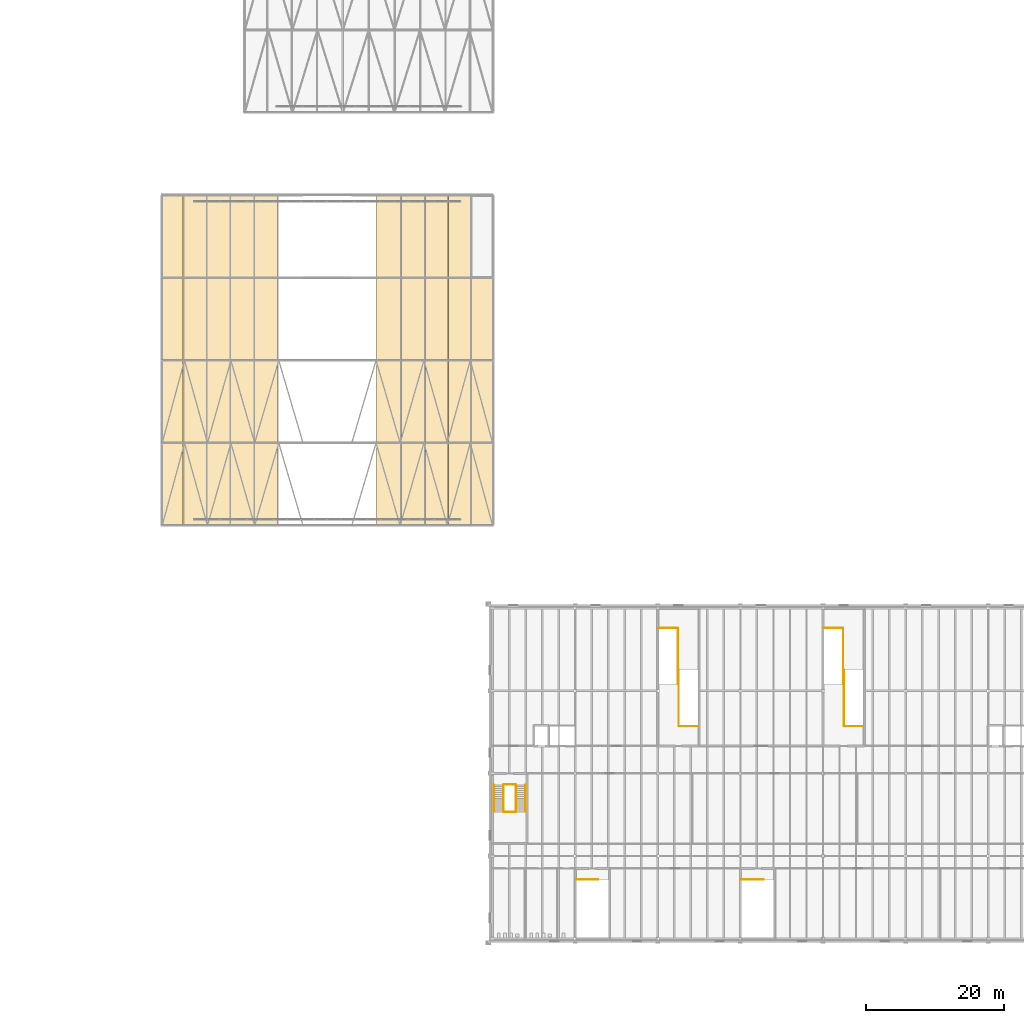
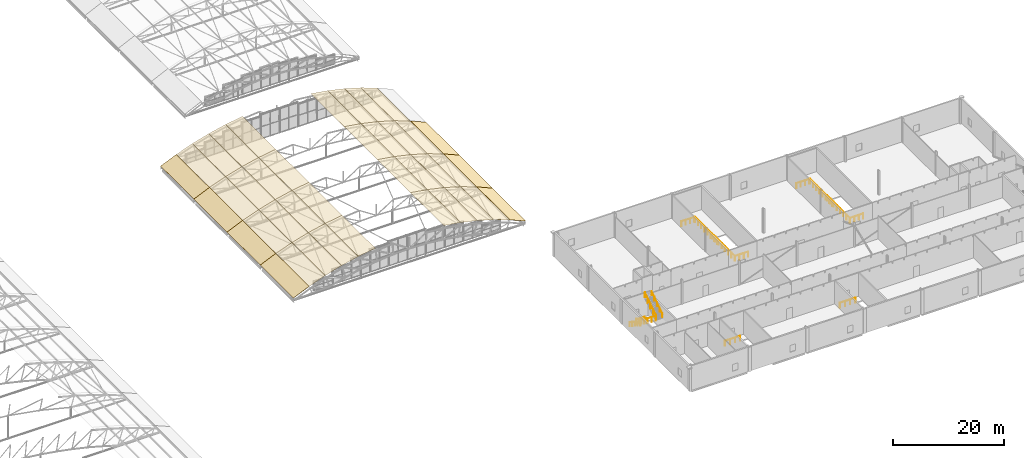
# One storey, part 317 of 321: 39 coverings, 16 railings.
"""IFC4 building model written with IfcOpenShell, lengths in metres."""

from ifc_helpers import new_model, si_unit, direction, frame, origin, origin_2d, place, context, subcontext, project, spatial, polyline, circle, outline, extrude, material, layer, layer_set, type_object, element, save


model = new_model("IFC4")

# Units and contexts
model_context = context("Model", 3, precision=1e-05, world=origin(), true_north=direction((0.0, 1.0)))
body_context = subcontext(model_context, "Body", "Model", "MODEL_VIEW")
ifc_project = project(units=[si_unit("LENGTHUNIT", "METRE"), si_unit("AREAUNIT", "SQUARE_METRE"), si_unit("VOLUMEUNIT", "CUBIC_METRE"), si_unit("PLANEANGLEUNIT", "RADIAN"), si_unit("MASSUNIT", "GRAM", prefix="KILO")], contexts=[model_context])

# Site, building, storey
site_placement = place(None, origin())
site = spatial("IfcSite", under=ifc_project, at=site_placement, CompositionType="ELEMENT")
building_placement = place(site_placement, origin())
building = spatial("IfcBuilding", under=site, at=building_placement, Name="Ravi Spectrum Wholesale Market", CompositionType="ELEMENT")
storey_placement = place(building_placement, frame((0.0, 0.0, 10.800048828125)))
storey = spatial("IfcBuildingStorey", under=building, at=storey_placement, Name="L02", CompositionType="ELEMENT", Elevation=10.800048828125)

# Railings
ifc_material_1 = material(Name="Steel S355", Category="steel")
railing_type_1 = type_object("IfcRailingType", Name="Guard 1100", PredefinedType="GUARDRAIL", material=ifc_material_1)
railing_1_placement = place(storey_placement, frame((199.60009765625, 40.35009765625, 0.179931640625)))
element("IfcRailing", 1, at=railing_1_placement, inside=storey, type_object=railing_type_1, Name="L02 S-CS-1 stair guard 1", PredefinedType="GUARDRAIL", context=body_context, shape_type="SweptSolid", body=[
    extrude(circle(Radius=0.02392578125, at=origin_2d()), frame((0.0, 0.0, 1.076171875), z_axis=(0.0, -0.841186985886, 0.540744352514), x_axis=(1.0, 0.0, 0.0)), (0.0, 0.0, 1.0), 4.660400390625),
    extrude(circle(Radius=0.02099609375, at=origin_2d()), origin(), (0.0, 0.0, 1.0), 1.052001953125),
    extrude(circle(Radius=0.02099609375, at=origin_2d()), frame((0.0, -0.97998046875, 0.6298828125)), (0.0, 0.0, 1.0), 1.052001953125),
    extrude(circle(Radius=0.02099609375, at=origin_2d()), frame((0.0, -1.9599609375, 1.260009765625)), (0.0, 0.0, 1.0), 1.052001953125),
    extrude(circle(Radius=0.02099609375, at=origin_2d()), frame((0.0, -2.940185546875, 1.89013671875)), (0.0, 0.0, 1.0), 1.052001953125),
    extrude(circle(Radius=0.02099609375, at=origin_2d()), frame((0.0, -3.920166015625, 2.52001953125)), (0.0, 0.0, 1.0), 1.052001953125),
])
railing_2_placement = place(storey_placement, frame((199.64990234375, 36.3798828125, 2.699951171875)))
element("IfcRailing", 2, at=railing_2_placement, inside=storey, type_object=railing_type_1, Name="L02 S-CS-1 stair guard 2", PredefinedType="GUARDRAIL", context=body_context, shape_type="SweptSolid", body=[
    extrude(circle(Radius=0.02392578125, at=origin_2d()), frame((0.0, 0.0, 1.076171875), z_axis=(1.0, 0.0, 0.0), x_axis=(0.0, 1.0, 0.0)), (0.0, 0.0, 1.0), 1.7001953125),
    extrude(circle(Radius=0.02099609375, at=origin_2d()), origin(), (0.0, 0.0, 1.0), 1.052001953125),
    extrude(circle(Radius=0.02099609375, at=origin_2d()), frame((0.85009765625, 0.0, 0.0)), (0.0, 0.0, 1.0), 1.052001953125),
    extrude(circle(Radius=0.02099609375, at=origin_2d()), frame((1.7001953125, 0.0, 0.0)), (0.0, 0.0, 1.0), 1.052001953125),
])
railing_3_placement = place(storey_placement, frame((201.39990234375, 36.429931640625, 2.8798828125)))
element("IfcRailing", 3, at=railing_3_placement, inside=storey, type_object=railing_type_1, Name="L02 S-CS-1 stair guard 3", PredefinedType="GUARDRAIL", context=body_context, shape_type="SweptSolid", body=[
    extrude(circle(Radius=0.02392578125, at=origin_2d()), frame((0.0, 0.0, 1.076171875), z_axis=(0.0, 0.841186985886, 0.540744352514), x_axis=(-1.0, 0.0, 0.0)), (0.0, 0.0, 1.0), 4.660400390625),
    extrude(circle(Radius=0.02099609375, at=origin_2d()), origin(), (0.0, 0.0, 1.0), 1.052001953125),
    extrude(circle(Radius=0.02099609375, at=origin_2d()), frame((0.0, 0.97998046875, 0.6298828125)), (0.0, 0.0, 1.0), 1.052001953125),
    extrude(circle(Radius=0.02099609375, at=origin_2d()), frame((0.0, 1.9599609375, 1.260009765625)), (0.0, 0.0, 1.0), 1.052001953125),
    extrude(circle(Radius=0.02099609375, at=origin_2d()), frame((0.0, 2.940185546875, 1.89013671875)), (0.0, 0.0, 1.0), 1.052001953125),
    extrude(circle(Radius=0.02099609375, at=origin_2d()), frame((0.0, 3.920166015625, 2.52001953125)), (0.0, 0.0, 1.0), 1.052001953125),
])
railing_4_placement = place(storey_placement, frame((199.64990234375, 40.39990234375, 0.0)))
element("IfcRailing", 4, at=railing_4_placement, inside=storey, type_object=railing_type_1, Name="L02 S-CS-1 stair guard 4", PredefinedType="GUARDRAIL", context=body_context, shape_type="SweptSolid", body=[
    extrude(circle(Radius=0.02392578125, at=origin_2d()), frame((0.0, 0.0, 1.076171875), z_axis=(1.0, 0.0, 0.0), x_axis=(0.0, 1.0, 0.0)), (0.0, 0.0, 1.0), 1.7001953125),
    extrude(circle(Radius=0.02099609375, at=origin_2d()), origin(), (0.0, 0.0, 1.0), 1.052001953125),
    extrude(circle(Radius=0.02099609375, at=origin_2d()), frame((0.85009765625, 0.0, 0.0)), (0.0, 0.0, 1.0), 1.052001953125),
    extrude(circle(Radius=0.02099609375, at=origin_2d()), frame((1.7001953125, 0.0, 0.0)), (0.0, 0.0, 1.0), 1.052001953125),
])
for number, where, name in (
    (5, (227.85009765625, 48.85009765625, 0.0), "L02 S-CS-3 top well guard 1"),
    (6, (224.89990234375, 63.14990234375, 0.0), "L02 S-CS-3 top well guard 2"),
):
    element("IfcRailing", number, at=place(storey_placement, frame(where)), inside=storey, type_object=railing_type_1, Name=name, PredefinedType="GUARDRAIL", context=body_context, shape_type="SweptSolid", body=[
        extrude(circle(Radius=0.02392578125, at=origin_2d()), frame((0.0, 0.0, 1.076171875), z_axis=(-1.0, 0.0, 0.0), x_axis=(0.0, -1.0, 0.0)), (0.0, 0.0, 1.0), 2.75),
        extrude(circle(Radius=0.02099609375, at=origin_2d()), origin(), (0.0, 0.0, 1.0), 1.052001953125),
        extrude(circle(Radius=0.02099609375, at=origin_2d()), frame((-0.916748046875, 0.0, 0.0)), (0.0, 0.0, 1.0), 1.052001953125),
        extrude(circle(Radius=0.02099609375, at=origin_2d()), frame((-1.833251953125, 0.0, 0.0)), (0.0, 0.0, 1.0), 1.052001953125),
        extrude(circle(Radius=0.02099609375, at=origin_2d()), frame((-2.75, 0.0, 0.0)), (0.0, 0.0, 1.0), 1.052001953125),
    ])
for number, where, name in (
    (7, (225.050048828125, 48.89990234375, 0.0), "L02 S-CS-3 top well guard 3"),
    (8, (224.949951171875, 54.97998046875, 0.0), "L02 S-CS-3 top well guard 4"),
):
    element("IfcRailing", number, at=place(storey_placement, frame(where)), inside=storey, type_object=railing_type_1, Name=name, PredefinedType="GUARDRAIL", context=body_context, shape_type="SweptSolid", body=[
        extrude(circle(Radius=0.02392578125, at=origin_2d()), frame((0.0, 0.0, 1.076171875), z_axis=(0.0, 1.0, 0.0), x_axis=(-1.0, 0.0, 0.0)), (0.0, 0.0, 1.0), 8.1201171875),
        extrude(circle(Radius=0.02099609375, at=origin_2d()), origin(), (0.0, 0.0, 1.0), 1.052001953125),
        extrude(circle(Radius=0.02099609375, at=origin_2d()), frame((0.0, 1.159912109375, 0.0)), (0.0, 0.0, 1.0), 1.052001953125),
        extrude(circle(Radius=0.02099609375, at=origin_2d()), frame((0.0, 2.320068359375, 0.0)), (0.0, 0.0, 1.0), 1.052001953125),
        extrude(circle(Radius=0.02099609375, at=origin_2d()), frame((0.0, 3.47998046875, 0.0)), (0.0, 0.0, 1.0), 1.052001953125),
        extrude(circle(Radius=0.02099609375, at=origin_2d()), frame((0.0, 4.64013671875, 0.0)), (0.0, 0.0, 1.0), 1.052001953125),
        extrude(circle(Radius=0.02099609375, at=origin_2d()), frame((0.0, 5.800048828125, 0.0)), (0.0, 0.0, 1.0), 1.052001953125),
        extrude(circle(Radius=0.02099609375, at=origin_2d()), frame((0.0, 6.960205078125, 0.0)), (0.0, 0.0, 1.0), 1.052001953125),
        extrude(circle(Radius=0.02099609375, at=origin_2d()), frame((0.0, 8.1201171875, 0.0)), (0.0, 0.0, 1.0), 1.052001953125),
    ])
railing_5_placement = place(storey_placement, frame((234.14990234375, 26.60009765625, 0.0)))
element("IfcRailing", 9, at=railing_5_placement, inside=storey, type_object=railing_type_1, Name="L02 S-CS-4 top well guard 1", PredefinedType="GUARDRAIL", context=body_context, shape_type="SweptSolid", body=[
    extrude(circle(Radius=0.02392578125, at=origin_2d()), frame((0.0, 0.0, 1.076171875), z_axis=(1.0, 0.0, 0.0), x_axis=(0.0, 1.0, 0.0)), (0.0, 0.0, 1.0), 3.2001953125),
    extrude(circle(Radius=0.02099609375, at=origin_2d()), origin(), (0.0, 0.0, 1.0), 1.052001953125),
    extrude(circle(Radius=0.02099609375, at=origin_2d()), frame((1.066650390625, 0.0, 0.0)), (0.0, 0.0, 1.0), 1.052001953125),
    extrude(circle(Radius=0.02099609375, at=origin_2d()), frame((2.133544921875, 0.0, 0.0)), (0.0, 0.0, 1.0), 1.052001953125),
    extrude(circle(Radius=0.02099609375, at=origin_2d()), frame((3.2001953125, 0.0, 0.0)), (0.0, 0.0, 1.0), 1.052001953125),
])
for number, where, name in (
    (10, (251.85009765625, 48.85009765625, 0.0), "L02 S-CS-5 top well guard 1"),
    (11, (248.89990234375, 63.14990234375, 0.0), "L02 S-CS-5 top well guard 2"),
):
    element("IfcRailing", number, at=place(storey_placement, frame(where)), inside=storey, type_object=railing_type_1, Name=name, PredefinedType="GUARDRAIL", context=body_context, shape_type="SweptSolid", body=[
        extrude(circle(Radius=0.02392578125, at=origin_2d()), frame((0.0, 0.0, 1.076171875), z_axis=(-1.0, 0.0, 0.0), x_axis=(0.0, -1.0, 0.0)), (0.0, 0.0, 1.0), 2.75),
        extrude(circle(Radius=0.02099609375, at=origin_2d()), origin(), (0.0, 0.0, 1.0), 1.052001953125),
        extrude(circle(Radius=0.02099609375, at=origin_2d()), frame((-0.916748046875, 0.0, 0.0)), (0.0, 0.0, 1.0), 1.052001953125),
        extrude(circle(Radius=0.02099609375, at=origin_2d()), frame((-1.833251953125, 0.0, 0.0)), (0.0, 0.0, 1.0), 1.052001953125),
        extrude(circle(Radius=0.02099609375, at=origin_2d()), frame((-2.75, 0.0, 0.0)), (0.0, 0.0, 1.0), 1.052001953125),
    ])
for number, where, name in (
    (12, (249.050048828125, 48.89990234375, 0.0), "L02 S-CS-5 top well guard 3"),
    (13, (248.949951171875, 54.97998046875, 0.0), "L02 S-CS-5 top well guard 4"),
):
    element("IfcRailing", number, at=place(storey_placement, frame(where)), inside=storey, type_object=railing_type_1, Name=name, PredefinedType="GUARDRAIL", context=body_context, shape_type="SweptSolid", body=[
        extrude(circle(Radius=0.02392578125, at=origin_2d()), frame((0.0, 0.0, 1.076171875), z_axis=(0.0, 1.0, 0.0), x_axis=(-1.0, 0.0, 0.0)), (0.0, 0.0, 1.0), 8.1201171875),
        extrude(circle(Radius=0.02099609375, at=origin_2d()), origin(), (0.0, 0.0, 1.0), 1.052001953125),
        extrude(circle(Radius=0.02099609375, at=origin_2d()), frame((0.0, 1.159912109375, 0.0)), (0.0, 0.0, 1.0), 1.052001953125),
        extrude(circle(Radius=0.02099609375, at=origin_2d()), frame((0.0, 2.320068359375, 0.0)), (0.0, 0.0, 1.0), 1.052001953125),
        extrude(circle(Radius=0.02099609375, at=origin_2d()), frame((0.0, 3.47998046875, 0.0)), (0.0, 0.0, 1.0), 1.052001953125),
        extrude(circle(Radius=0.02099609375, at=origin_2d()), frame((0.0, 4.64013671875, 0.0)), (0.0, 0.0, 1.0), 1.052001953125),
        extrude(circle(Radius=0.02099609375, at=origin_2d()), frame((0.0, 5.800048828125, 0.0)), (0.0, 0.0, 1.0), 1.052001953125),
        extrude(circle(Radius=0.02099609375, at=origin_2d()), frame((0.0, 6.960205078125, 0.0)), (0.0, 0.0, 1.0), 1.052001953125),
        extrude(circle(Radius=0.02099609375, at=origin_2d()), frame((0.0, 8.1201171875, 0.0)), (0.0, 0.0, 1.0), 1.052001953125),
    ])
railing_6_placement = place(storey_placement, frame((210.14990234375, 26.60009765625, 0.0)))
element("IfcRailing", 14, at=railing_6_placement, inside=storey, type_object=railing_type_1, Name="L02 S-CS-6 top well guard 1", PredefinedType="GUARDRAIL", context=body_context, shape_type="SweptSolid", body=[
    extrude(circle(Radius=0.02392578125, at=origin_2d()), frame((0.0, 0.0, 1.076171875), z_axis=(1.0, 0.0, 0.0), x_axis=(0.0, 1.0, 0.0)), (0.0, 0.0, 1.0), 3.2001953125),
    extrude(circle(Radius=0.02099609375, at=origin_2d()), origin(), (0.0, 0.0, 1.0), 1.052001953125),
    extrude(circle(Radius=0.02099609375, at=origin_2d()), frame((1.066650390625, 0.0, 0.0)), (0.0, 0.0, 1.0), 1.052001953125),
    extrude(circle(Radius=0.02099609375, at=origin_2d()), frame((2.133544921875, 0.0, 0.0)), (0.0, 0.0, 1.0), 1.052001953125),
    extrude(circle(Radius=0.02099609375, at=origin_2d()), frame((3.2001953125, 0.0, 0.0)), (0.0, 0.0, 1.0), 1.052001953125),
])
ifc_material_2 = material(Name="Stainless steel", Category="steel")
railing_type_2 = type_object("IfcRailingType", Name="Handrail 900", PredefinedType="HANDRAIL", material=ifc_material_2)
railing_7_placement = place(storey_placement, frame((198.199951171875, 40.35009765625, 0.179931640625)))
element("IfcRailing", 15, at=railing_7_placement, inside=storey, type_object=railing_type_2, Name="L02 S-CS-1 stair handrail 1", PredefinedType="HANDRAIL", context=body_context, shape_type="SweptSolid", body=[
    extrude(circle(Radius=0.02392578125, at=origin_2d()), frame((0.0, 0.0, 0.8759765625), z_axis=(0.0, -0.841186985886, 0.540744352514), x_axis=(1.0, 0.0, 0.0)), (0.0, 0.0, 1.0), 4.660400390625),
    extrude(circle(Radius=0.02099609375, at=origin_2d()), origin(), (0.0, 0.0, 1.0), 0.851806640625),
    extrude(circle(Radius=0.02099609375, at=origin_2d()), frame((0.0, -0.97998046875, 0.6298828125)), (0.0, 0.0, 1.0), 0.851806640625),
    extrude(circle(Radius=0.02099609375, at=origin_2d()), frame((0.0, -1.9599609375, 1.260009765625)), (0.0, 0.0, 1.0), 0.851806640625),
    extrude(circle(Radius=0.02099609375, at=origin_2d()), frame((0.0, -2.940185546875, 1.89013671875)), (0.0, 0.0, 1.0), 0.851806640625),
    extrude(circle(Radius=0.02099609375, at=origin_2d()), frame((0.0, -3.920166015625, 2.52001953125)), (0.0, 0.0, 1.0), 0.851806640625),
])
railing_8_placement = place(storey_placement, frame((202.800048828125, 36.429931640625, 2.8798828125)))
element("IfcRailing", 16, at=railing_8_placement, inside=storey, type_object=railing_type_2, Name="L02 S-CS-1 stair handrail 2", PredefinedType="HANDRAIL", context=body_context, shape_type="SweptSolid", body=[
    extrude(circle(Radius=0.02392578125, at=origin_2d()), frame((0.0, 0.0, 0.8759765625), z_axis=(0.0, 0.841186985886, 0.540744352514), x_axis=(-1.0, 0.0, 0.0)), (0.0, 0.0, 1.0), 4.660400390625),
    extrude(circle(Radius=0.02099609375, at=origin_2d()), origin(), (0.0, 0.0, 1.0), 0.851806640625),
    extrude(circle(Radius=0.02099609375, at=origin_2d()), frame((0.0, 0.97998046875, 0.6298828125)), (0.0, 0.0, 1.0), 0.851806640625),
    extrude(circle(Radius=0.02099609375, at=origin_2d()), frame((0.0, 1.9599609375, 1.260009765625)), (0.0, 0.0, 1.0), 0.851806640625),
    extrude(circle(Radius=0.02099609375, at=origin_2d()), frame((0.0, 2.940185546875, 1.89013671875)), (0.0, 0.0, 1.0), 0.851806640625),
    extrude(circle(Radius=0.02099609375, at=origin_2d()), frame((0.0, 3.920166015625, 2.52001953125)), (0.0, 0.0, 1.0), 0.851806640625),
])

# Coverings
ifc_material_3 = material(Name="Roofing membrane")
ifc_layer = layer(ifc_material_3, 0.008056640625)
ifc_layer_set = layer_set([ifc_layer], Name="Roofing membrane")
covering_type = type_object("IfcCoveringType", Name="Roofing membrane 8", PredefinedType="ROOFING", material=ifc_layer_set)
covering_1_placement = place(storey_placement, frame((149.763916015625, 78.0, 0.507568359375), z_axis=(-0.399541211393, 0.0, 0.916715234082), x_axis=(0.916715234082, 0.0, 0.399541211393)))
element("IfcCovering", 17, at=covering_1_placement, inside=storey, type_object=covering_type, Name="H2-CV-L02-001", PredefinedType="ROOFING", context=body_context, shape_type="SweptSolid", body=[
    extrude(outline(polyline([(0.0, 0.0), (3.5697682506341324, 0.0), (3.5697682506341324, 12.0), (0.0, 12.0), (0.0, 0.0)])), origin(), (0.0, 0.0, -1.0), 0.008056640625),
])
covering_2_placement = place(storey_placement, frame((153.0439453125, 78.0, 1.93701171875), z_axis=(-0.340781945356, 0.0, 0.940142364602), x_axis=(0.940142364602, 0.0, 0.340781945356)))
element("IfcCovering", 18, at=covering_2_placement, inside=storey, type_object=covering_type, Name="H2-CV-L02-002", PredefinedType="ROOFING", context=body_context, shape_type="SweptSolid", body=[
    extrude(outline(polyline([(0.0, 0.0), (3.5698861132549333, 0.0), (3.5698861132549333, 12.0), (0.0, 12.0), (0.0, 0.0)])), origin(), (0.0, 0.0, -1.0), 0.008056640625),
])
covering_3_placement = place(storey_placement, frame((156.40771484375, 78.0, 3.156005859375), z_axis=(-0.280740497121, 0.0, 0.959783711716), x_axis=(0.959783711716, 0.0, 0.280740497121)))
element("IfcCovering", 19, at=covering_3_placement, inside=storey, type_object=covering_type, Name="H2-CV-L02-003", PredefinedType="ROOFING", context=body_context, shape_type="SweptSolid", body=[
    extrude(outline(polyline([(0.0, 0.0), (3.569835046609062, 0.0), (3.569835046609062, 12.0), (0.0, 12.0), (0.0, 0.0)])), origin(), (0.0, 0.0, -1.0), 0.008056640625),
])
covering_4_placement = place(storey_placement, frame((159.841796875, 78.0, 4.16015625), z_axis=(-0.219521958857, 0.0, 0.975607559206), x_axis=(0.975607559206, 0.0, 0.219521958857)))
element("IfcCovering", 20, at=covering_4_placement, inside=storey, type_object=covering_type, Name="H2-CV-L02-004", PredefinedType="ROOFING", context=body_context, shape_type="SweptSolid", body=[
    extrude(outline(polyline([(0.0, 0.0), (3.5699909491117063, 0.0), (3.5699909491117063, 12.0), (0.0, 12.0), (0.0, 0.0)])), origin(), (0.0, 0.0, -1.0), 0.008056640625),
])
for number, where, z_axis, x_axis, name in (
    (21, (163.33251953125, 78.0, 4.9453125), (-0.157430351382, 0.0, 0.987530092941), (0.987530092941, 0.0, 0.157430351382), "H2-CV-L02-005"),
    (22, (181.14208984375, 78.0, 5.50732421875), (0.157430351382, 0.0, 0.987530092941), (0.987530092941, 0.0, -0.157430351382), "H2-CV-L02-006"),
):
    element("IfcCovering", number, at=place(storey_placement, frame(where, z_axis=z_axis, x_axis=x_axis)), inside=storey, type_object=covering_type, Name=name, PredefinedType="ROOFING", context=body_context, shape_type="SweptSolid", body=[
        extrude(outline(polyline([(0.0, 0.0), (3.569907033922623, 0.0), (3.569907033922623, 12.0), (0.0, 12.0), (0.0, 0.0)])), origin(), (0.0, 0.0, -1.0), 0.008056640625),
    ])
covering_5_placement = place(storey_placement, frame((184.67529296875, 78.0, 4.94384765625), z_axis=(0.219521958857, 0.0, 0.975607559206), x_axis=(0.975607559206, 0.0, -0.219521958857)))
element("IfcCovering", 23, at=covering_5_placement, inside=storey, type_object=covering_type, Name="H2-CV-L02-007", PredefinedType="ROOFING", context=body_context, shape_type="SweptSolid", body=[
    extrude(outline(polyline([(0.0, 0.0), (3.5699909491117063, 0.0), (3.5699909491117063, 12.0), (0.0, 12.0), (0.0, 0.0)])), origin(), (0.0, 0.0, -1.0), 0.008056640625),
])
covering_6_placement = place(storey_placement, frame((188.166015625, 78.0, 4.158203125), z_axis=(0.280740497121, 0.0, 0.959783711716), x_axis=(0.959783711716, 0.0, -0.280740497121)))
element("IfcCovering", 24, at=covering_6_placement, inside=storey, type_object=covering_type, Name="H2-CV-L02-008", PredefinedType="ROOFING", context=body_context, shape_type="SweptSolid", body=[
    extrude(outline(polyline([(0.0, 0.0), (3.569835046609062, 0.0), (3.569835046609062, 12.0), (0.0, 12.0), (0.0, 0.0)])), origin(), (0.0, 0.0, -1.0), 0.008056640625),
])
covering_7_placement = place(storey_placement, frame((191.599853515625, 78.0, 3.153564453125), z_axis=(0.340781945356, 0.0, 0.940142364602), x_axis=(0.940142364602, 0.0, -0.340781945356)))
element("IfcCovering", 25, at=covering_7_placement, inside=storey, type_object=covering_type, Name="H2-CV-L02-009", PredefinedType="ROOFING", context=body_context, shape_type="SweptSolid", body=[
    extrude(outline(polyline([(0.0, 0.0), (3.5698861132549333, 0.0), (3.5698861132549333, 12.0), (0.0, 12.0), (0.0, 0.0)])), origin(), (0.0, 0.0, -1.0), 0.008056640625),
])
for number, where, z_axis, x_axis, name in (
    (26, (194.963623046875, 78.0, 1.933837890625), (0.399541211393, 0.0, 0.916715234082), (0.916715234082, 0.0, -0.399541211393), "H2-CV-L02-010"),
    (27, (149.763916015625, 90.0, 0.507568359375), (-0.399541211393, 0.0, 0.916715234082), (0.916715234082, 0.0, 0.399541211393), "H2-CV-L02-011"),
):
    element("IfcCovering", number, at=place(storey_placement, frame(where, z_axis=z_axis, x_axis=x_axis)), inside=storey, type_object=covering_type, Name=name, PredefinedType="ROOFING", context=body_context, shape_type="SweptSolid", body=[
        extrude(outline(polyline([(0.0, 0.0), (3.5697682506341324, 0.0), (3.5697682506341324, 12.0), (0.0, 12.0), (0.0, 0.0)])), origin(), (0.0, 0.0, -1.0), 0.008056640625),
    ])
covering_8_placement = place(storey_placement, frame((153.0439453125, 90.0, 1.93701171875), z_axis=(-0.340781945356, 0.0, 0.940142364602), x_axis=(0.940142364602, 0.0, 0.340781945356)))
element("IfcCovering", 28, at=covering_8_placement, inside=storey, type_object=covering_type, Name="H2-CV-L02-012", PredefinedType="ROOFING", context=body_context, shape_type="SweptSolid", body=[
    extrude(outline(polyline([(0.0, 0.0), (3.5698861132549333, 0.0), (3.5698861132549333, 12.0), (0.0, 12.0), (0.0, 0.0)])), origin(), (0.0, 0.0, -1.0), 0.008056640625),
])
covering_9_placement = place(storey_placement, frame((156.40771484375, 90.0, 3.156005859375), z_axis=(-0.280740497121, 0.0, 0.959783711716), x_axis=(0.959783711716, 0.0, 0.280740497121)))
element("IfcCovering", 29, at=covering_9_placement, inside=storey, type_object=covering_type, Name="H2-CV-L02-013", PredefinedType="ROOFING", context=body_context, shape_type="SweptSolid", body=[
    extrude(outline(polyline([(0.0, 0.0), (3.569835046609062, 0.0), (3.569835046609062, 12.0), (0.0, 12.0), (0.0, 0.0)])), origin(), (0.0, 0.0, -1.0), 0.008056640625),
])
covering_10_placement = place(storey_placement, frame((159.841796875, 90.0, 4.16015625), z_axis=(-0.219521958857, 0.0, 0.975607559206), x_axis=(0.975607559206, 0.0, 0.219521958857)))
element("IfcCovering", 30, at=covering_10_placement, inside=storey, type_object=covering_type, Name="H2-CV-L02-014", PredefinedType="ROOFING", context=body_context, shape_type="SweptSolid", body=[
    extrude(outline(polyline([(0.0, 0.0), (3.5699909491117063, 0.0), (3.5699909491117063, 12.0), (0.0, 12.0), (0.0, 0.0)])), origin(), (0.0, 0.0, -1.0), 0.008056640625),
])
for number, where, z_axis, x_axis, name in (
    (31, (163.33251953125, 90.0, 4.9453125), (-0.157430351382, 0.0, 0.987530092941), (0.987530092941, 0.0, 0.157430351382), "H2-CV-L02-015"),
    (32, (181.14208984375, 90.0, 5.50732421875), (0.157430351382, 0.0, 0.987530092941), (0.987530092941, 0.0, -0.157430351382), "H2-CV-L02-016"),
):
    element("IfcCovering", number, at=place(storey_placement, frame(where, z_axis=z_axis, x_axis=x_axis)), inside=storey, type_object=covering_type, Name=name, PredefinedType="ROOFING", context=body_context, shape_type="SweptSolid", body=[
        extrude(outline(polyline([(0.0, 0.0), (3.569907033922623, 0.0), (3.569907033922623, 12.0), (0.0, 12.0), (0.0, 0.0)])), origin(), (0.0, 0.0, -1.0), 0.008056640625),
    ])
covering_11_placement = place(storey_placement, frame((184.67529296875, 90.0, 4.94384765625), z_axis=(0.219521958857, 0.0, 0.975607559206), x_axis=(0.975607559206, 0.0, -0.219521958857)))
element("IfcCovering", 33, at=covering_11_placement, inside=storey, type_object=covering_type, Name="H2-CV-L02-017", PredefinedType="ROOFING", context=body_context, shape_type="SweptSolid", body=[
    extrude(outline(polyline([(0.0, 0.0), (3.5699909491117063, 0.0), (3.5699909491117063, 12.0), (0.0, 12.0), (0.0, 0.0)])), origin(), (0.0, 0.0, -1.0), 0.008056640625),
])
covering_12_placement = place(storey_placement, frame((188.166015625, 90.0, 4.158203125), z_axis=(0.280740497121, 0.0, 0.959783711716), x_axis=(0.959783711716, 0.0, -0.280740497121)))
element("IfcCovering", 34, at=covering_12_placement, inside=storey, type_object=covering_type, Name="H2-CV-L02-018", PredefinedType="ROOFING", context=body_context, shape_type="SweptSolid", body=[
    extrude(outline(polyline([(0.0, 0.0), (3.569835046609062, 0.0), (3.569835046609062, 12.0), (0.0, 12.0), (0.0, 0.0)])), origin(), (0.0, 0.0, -1.0), 0.008056640625),
])
covering_13_placement = place(storey_placement, frame((191.599853515625, 90.0, 3.153564453125), z_axis=(0.340781945356, 0.0, 0.940142364602), x_axis=(0.940142364602, 0.0, -0.340781945356)))
element("IfcCovering", 35, at=covering_13_placement, inside=storey, type_object=covering_type, Name="H2-CV-L02-019", PredefinedType="ROOFING", context=body_context, shape_type="SweptSolid", body=[
    extrude(outline(polyline([(0.0, 0.0), (3.5698861132549333, 0.0), (3.5698861132549333, 12.0), (0.0, 12.0), (0.0, 0.0)])), origin(), (0.0, 0.0, -1.0), 0.008056640625),
])
for number, where, z_axis, x_axis, name in (
    (36, (194.963623046875, 90.0, 1.933837890625), (0.399541211393, 0.0, 0.916715234082), (0.916715234082, 0.0, -0.399541211393), "H2-CV-L02-020"),
    (37, (149.763916015625, 102.0, 0.507568359375), (-0.399541211393, 0.0, 0.916715234082), (0.916715234082, 0.0, 0.399541211393), "H2-CV-L02-021"),
):
    element("IfcCovering", number, at=place(storey_placement, frame(where, z_axis=z_axis, x_axis=x_axis)), inside=storey, type_object=covering_type, Name=name, PredefinedType="ROOFING", context=body_context, shape_type="SweptSolid", body=[
        extrude(outline(polyline([(0.0, 0.0), (3.5697682506341324, 0.0), (3.5697682506341324, 12.0), (0.0, 12.0), (0.0, 0.0)])), origin(), (0.0, 0.0, -1.0), 0.008056640625),
    ])
covering_14_placement = place(storey_placement, frame((153.0439453125, 102.0, 1.93701171875), z_axis=(-0.340781945356, 0.0, 0.940142364602), x_axis=(0.940142364602, 0.0, 0.340781945356)))
element("IfcCovering", 38, at=covering_14_placement, inside=storey, type_object=covering_type, Name="H2-CV-L02-022", PredefinedType="ROOFING", context=body_context, shape_type="SweptSolid", body=[
    extrude(outline(polyline([(0.0, 0.0), (3.5698861132549333, 0.0), (3.5698861132549333, 12.0), (0.0, 12.0), (0.0, 0.0)])), origin(), (0.0, 0.0, -1.0), 0.008056640625),
])
covering_15_placement = place(storey_placement, frame((156.40771484375, 102.0, 3.156005859375), z_axis=(-0.280740497121, 0.0, 0.959783711716), x_axis=(0.959783711716, 0.0, 0.280740497121)))
element("IfcCovering", 39, at=covering_15_placement, inside=storey, type_object=covering_type, Name="H2-CV-L02-023", PredefinedType="ROOFING", context=body_context, shape_type="SweptSolid", body=[
    extrude(outline(polyline([(0.0, 0.0), (3.569835046609062, 0.0), (3.569835046609062, 12.0), (0.0, 12.0), (0.0, 0.0)])), origin(), (0.0, 0.0, -1.0), 0.008056640625),
])
covering_16_placement = place(storey_placement, frame((159.841796875, 102.0, 4.16015625), z_axis=(-0.219521958857, 0.0, 0.975607559206), x_axis=(0.975607559206, 0.0, 0.219521958857)))
element("IfcCovering", 40, at=covering_16_placement, inside=storey, type_object=covering_type, Name="H2-CV-L02-024", PredefinedType="ROOFING", context=body_context, shape_type="SweptSolid", body=[
    extrude(outline(polyline([(0.0, 0.0), (3.5699909491117063, 0.0), (3.5699909491117063, 12.0), (0.0, 12.0), (0.0, 0.0)])), origin(), (0.0, 0.0, -1.0), 0.008056640625),
])
for number, where, z_axis, x_axis, name in (
    (41, (163.33251953125, 102.0, 4.9453125), (-0.157430351382, 0.0, 0.987530092941), (0.987530092941, 0.0, 0.157430351382), "H2-CV-L02-025"),
    (42, (181.14208984375, 102.0, 5.50732421875), (0.157430351382, 0.0, 0.987530092941), (0.987530092941, 0.0, -0.157430351382), "H2-CV-L02-026"),
):
    element("IfcCovering", number, at=place(storey_placement, frame(where, z_axis=z_axis, x_axis=x_axis)), inside=storey, type_object=covering_type, Name=name, PredefinedType="ROOFING", context=body_context, shape_type="SweptSolid", body=[
        extrude(outline(polyline([(0.0, 0.0), (3.569907033922623, 0.0), (3.569907033922623, 12.0), (0.0, 12.0), (0.0, 0.0)])), origin(), (0.0, 0.0, -1.0), 0.008056640625),
    ])
covering_17_placement = place(storey_placement, frame((184.67529296875, 102.0, 4.94384765625), z_axis=(0.219521958857, 0.0, 0.975607559206), x_axis=(0.975607559206, 0.0, -0.219521958857)))
element("IfcCovering", 43, at=covering_17_placement, inside=storey, type_object=covering_type, Name="H2-CV-L02-027", PredefinedType="ROOFING", context=body_context, shape_type="SweptSolid", body=[
    extrude(outline(polyline([(0.0, 0.0), (3.5699909491117063, 0.0), (3.5699909491117063, 12.0), (0.0, 12.0), (0.0, 0.0)])), origin(), (0.0, 0.0, -1.0), 0.008056640625),
])
covering_18_placement = place(storey_placement, frame((188.166015625, 102.0, 4.158203125), z_axis=(0.280740497121, 0.0, 0.959783711716), x_axis=(0.959783711716, 0.0, -0.280740497121)))
element("IfcCovering", 44, at=covering_18_placement, inside=storey, type_object=covering_type, Name="H2-CV-L02-028", PredefinedType="ROOFING", context=body_context, shape_type="SweptSolid", body=[
    extrude(outline(polyline([(0.0, 0.0), (3.569835046609062, 0.0), (3.569835046609062, 12.0), (0.0, 12.0), (0.0, 0.0)])), origin(), (0.0, 0.0, -1.0), 0.008056640625),
])
covering_19_placement = place(storey_placement, frame((191.599853515625, 102.0, 3.153564453125), z_axis=(0.340781945356, 0.0, 0.940142364602), x_axis=(0.940142364602, 0.0, -0.340781945356)))
element("IfcCovering", 45, at=covering_19_placement, inside=storey, type_object=covering_type, Name="H2-CV-L02-029", PredefinedType="ROOFING", context=body_context, shape_type="SweptSolid", body=[
    extrude(outline(polyline([(0.0, 0.0), (3.5698861132549333, 0.0), (3.5698861132549333, 12.0), (0.0, 12.0), (0.0, 0.0)])), origin(), (0.0, 0.0, -1.0), 0.008056640625),
])
for number, where, z_axis, x_axis, name in (
    (46, (194.963623046875, 102.0, 1.933837890625), (0.399541211393, 0.0, 0.916715234082), (0.916715234082, 0.0, -0.399541211393), "H2-CV-L02-030"),
    (47, (149.763916015625, 114.0, 0.507568359375), (-0.399541211393, 0.0, 0.916715234082), (0.916715234082, 0.0, 0.399541211393), "H2-CV-L02-031"),
):
    element("IfcCovering", number, at=place(storey_placement, frame(where, z_axis=z_axis, x_axis=x_axis)), inside=storey, type_object=covering_type, Name=name, PredefinedType="ROOFING", context=body_context, shape_type="SweptSolid", body=[
        extrude(outline(polyline([(0.0, 0.0), (3.5697682506341324, 0.0), (3.5697682506341324, 12.0), (0.0, 12.0), (0.0, 0.0)])), origin(), (0.0, 0.0, -1.0), 0.008056640625),
    ])
covering_20_placement = place(storey_placement, frame((153.0439453125, 114.0, 1.93701171875), z_axis=(-0.340781945356, 0.0, 0.940142364602), x_axis=(0.940142364602, 0.0, 0.340781945356)))
element("IfcCovering", 48, at=covering_20_placement, inside=storey, type_object=covering_type, Name="H2-CV-L02-032", PredefinedType="ROOFING", context=body_context, shape_type="SweptSolid", body=[
    extrude(outline(polyline([(0.0, 0.0), (3.5698861132549333, 0.0), (3.5698861132549333, 12.0), (0.0, 12.0), (0.0, 0.0)])), origin(), (0.0, 0.0, -1.0), 0.008056640625),
])
covering_21_placement = place(storey_placement, frame((156.40771484375, 114.0, 3.156005859375), z_axis=(-0.280740497121, 0.0, 0.959783711716), x_axis=(0.959783711716, 0.0, 0.280740497121)))
element("IfcCovering", 49, at=covering_21_placement, inside=storey, type_object=covering_type, Name="H2-CV-L02-033", PredefinedType="ROOFING", context=body_context, shape_type="SweptSolid", body=[
    extrude(outline(polyline([(0.0, 0.0), (3.569835046609062, 0.0), (3.569835046609062, 12.0), (0.0, 12.0), (0.0, 0.0)])), origin(), (0.0, 0.0, -1.0), 0.008056640625),
])
covering_22_placement = place(storey_placement, frame((159.841796875, 114.0, 4.16015625), z_axis=(-0.219521958857, 0.0, 0.975607559206), x_axis=(0.975607559206, 0.0, 0.219521958857)))
element("IfcCovering", 50, at=covering_22_placement, inside=storey, type_object=covering_type, Name="H2-CV-L02-034", PredefinedType="ROOFING", context=body_context, shape_type="SweptSolid", body=[
    extrude(outline(polyline([(0.0, 0.0), (3.5699909491117063, 0.0), (3.5699909491117063, 12.0), (0.0, 12.0), (0.0, 0.0)])), origin(), (0.0, 0.0, -1.0), 0.008056640625),
])
for number, where, z_axis, x_axis, name in (
    (51, (163.33251953125, 114.0, 4.9453125), (-0.157430351382, 0.0, 0.987530092941), (0.987530092941, 0.0, 0.157430351382), "H2-CV-L02-035"),
    (52, (181.14208984375, 114.0, 5.50732421875), (0.157430351382, 0.0, 0.987530092941), (0.987530092941, 0.0, -0.157430351382), "H2-CV-L02-036"),
):
    element("IfcCovering", number, at=place(storey_placement, frame(where, z_axis=z_axis, x_axis=x_axis)), inside=storey, type_object=covering_type, Name=name, PredefinedType="ROOFING", context=body_context, shape_type="SweptSolid", body=[
        extrude(outline(polyline([(0.0, 0.0), (3.569907033922623, 0.0), (3.569907033922623, 12.0), (0.0, 12.0), (0.0, 0.0)])), origin(), (0.0, 0.0, -1.0), 0.008056640625),
    ])
covering_23_placement = place(storey_placement, frame((184.67529296875, 114.0, 4.94384765625), z_axis=(0.219521958857, 0.0, 0.975607559206), x_axis=(0.975607559206, 0.0, -0.219521958857)))
element("IfcCovering", 53, at=covering_23_placement, inside=storey, type_object=covering_type, Name="H2-CV-L02-037", PredefinedType="ROOFING", context=body_context, shape_type="SweptSolid", body=[
    extrude(outline(polyline([(0.0, 0.0), (3.5699909491117063, 0.0), (3.5699909491117063, 12.0), (0.0, 12.0), (0.0, 0.0)])), origin(), (0.0, 0.0, -1.0), 0.008056640625),
])
covering_24_placement = place(storey_placement, frame((188.166015625, 114.0, 4.158203125), z_axis=(0.280740497121, 0.0, 0.959783711716), x_axis=(0.959783711716, 0.0, -0.280740497121)))
element("IfcCovering", 54, at=covering_24_placement, inside=storey, type_object=covering_type, Name="H2-CV-L02-038", PredefinedType="ROOFING", context=body_context, shape_type="SweptSolid", body=[
    extrude(outline(polyline([(0.0, 0.0), (3.569835046609062, 0.0), (3.569835046609062, 12.0), (0.0, 12.0), (0.0, 0.0)])), origin(), (0.0, 0.0, -1.0), 0.008056640625),
])
covering_25_placement = place(storey_placement, frame((191.599853515625, 114.0, 3.153564453125), z_axis=(0.340781945356, 0.0, 0.940142364602), x_axis=(0.940142364602, 0.0, -0.340781945356)))
element("IfcCovering", 55, at=covering_25_placement, inside=storey, type_object=covering_type, Name="H2-CV-L02-039", PredefinedType="ROOFING", context=body_context, shape_type="SweptSolid", body=[
    extrude(outline(polyline([(0.0, 0.0), (3.5698861132549333, 0.0), (3.5698861132549333, 12.0), (0.0, 12.0), (0.0, 0.0)])), origin(), (0.0, 0.0, -1.0), 0.008056640625),
])

save(model, "model.ifc")
